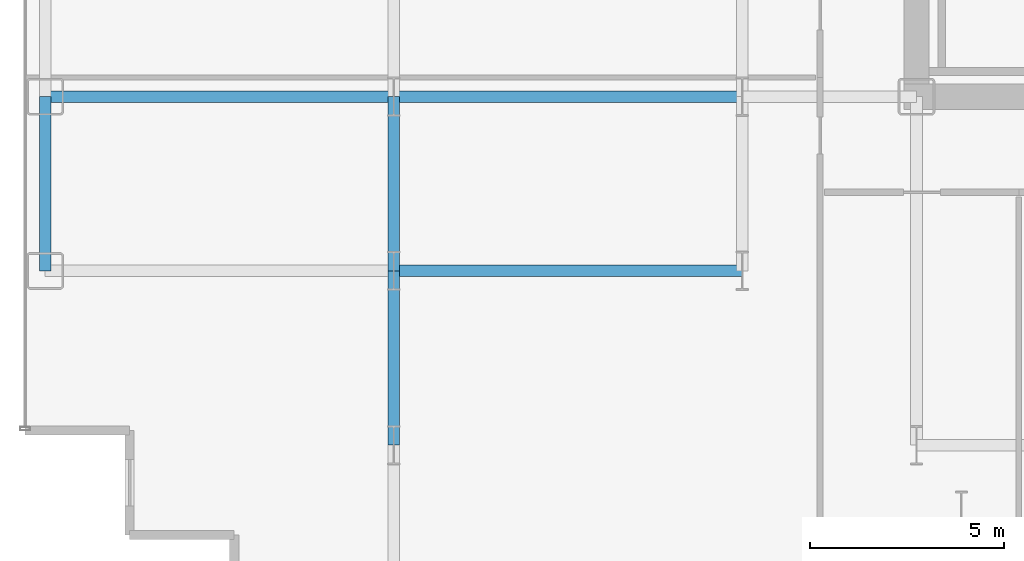
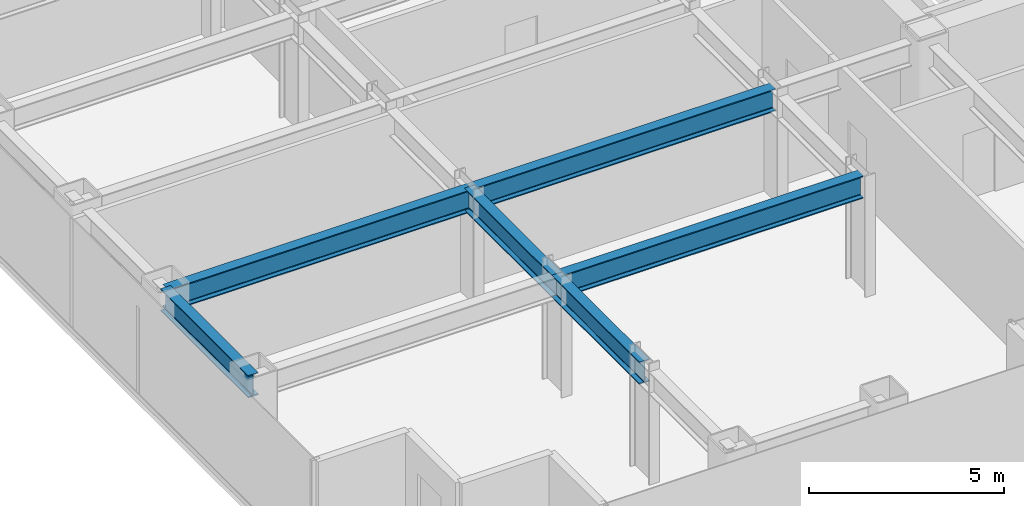
# One storey, part 3 of 25: 6 beams.
"""IFC4 building model written with IfcOpenShell, lengths in metres."""

from ifc_helpers import new_model, si_unit, direction, frame, origin, origin_2d, place, context, subcontext, project, spatial, i_section, extrude, source, transform, mapped, material, material_profile, profile_set, type_object, element, save


model = new_model("IFC4")

# Units and contexts
model_context = context("Model", 3, precision=1e-05, world=origin(), true_north=direction((0.0, 1.0)))
body_context = subcontext(model_context, "Body", "Model", "MODEL_VIEW")
ifc_project = project(units=[si_unit("LENGTHUNIT", "METRE"), si_unit("AREAUNIT", "SQUARE_METRE"), si_unit("VOLUMEUNIT", "CUBIC_METRE"), si_unit("PLANEANGLEUNIT", "RADIAN"), si_unit("MASSUNIT", "GRAM", prefix="KILO")], contexts=[model_context])

# Site, building, storey
site_placement = place(None, origin())
site = spatial("IfcSite", under=ifc_project, at=site_placement, CompositionType="ELEMENT")
building_placement = place(site_placement, origin())
building = spatial("IfcBuilding", under=site, at=building_placement, Name="Nefas-Gora Pilgrimage Tower", CompositionType="ELEMENT")
storey_placement = place(building_placement, frame((0.0, 0.0, 52.0)))
storey = spatial("IfcBuildingStorey", under=building, at=storey_placement, Name="L11", CompositionType="ELEMENT", Elevation=52.0)

# Beams
ifc_material = material(Name="Steel S355", Category="steel")
ifc_material_profile_1 = material_profile(ifc_material, i_section(OverallWidth=0.300048828125, OverallDepth=0.699951171875, WebThickness=0.01708984375, FlangeThickness=0.031982421875, FilletRadius=0.027099609375, at=origin_2d()), Name="HEB 700")
ifc_profile_set_1 = profile_set([ifc_material_profile_1], Name="Steel S355")
beam_type_1 = type_object("IfcBeamType", Name="BM-SPN-HEB600", PredefinedType="SPANDREL", material=ifc_profile_set_1)
shared_shape_1 = source(origin(), body_context, "Body", "SweptSolid", [
    extrude(i_section(OverallWidth=0.300048828125, OverallDepth=0.699951171875, WebThickness=0.01708984375, FlangeThickness=0.031982421875, FilletRadius=0.027099609375, at=origin_2d()), origin(), (0.0, 0.0, 1.0), 4.5),
])
beam_placement = place(storey_placement, frame((-33.75, -13.5, 3.199951171875), z_axis=(0.0, 1.0, 0.0), x_axis=(-1.0, 0.0, 0.0)))
element("IfcBeam", 1, at=beam_placement, inside=storey, type_object=beam_type_1, Name="L11 SP-01 beam", PredefinedType="SPANDREL", context=body_context, shape_type="MappedRepresentation", body=[
    mapped(shared_shape_1, transform((0.0, 0.0, 0.0), x_axis=(1.0, 0.0, 0.0), y_axis=(0.0, 1.0, 0.0), z_axis=(0.0, 0.0, 1.0), scale=1.0)),
])
ifc_material_profile_2 = material_profile(ifc_material, i_section(OverallWidth=0.300048828125, OverallDepth=0.699951171875, WebThickness=0.01708984375, FlangeThickness=0.031982421875, FilletRadius=0.027099609375, at=origin_2d()), Name="HEB 700")
ifc_profile_set_2 = profile_set([ifc_material_profile_2], Name="Steel S355")
beam_type_2 = type_object("IfcBeamType", Name="BM-GIR-HEB700", PredefinedType="BEAM", material=ifc_profile_set_2)
shared_shape_2 = source(origin(), body_context, "Body", "SweptSolid", [
    extrude(i_section(OverallWidth=0.300048828125, OverallDepth=0.699951171875, WebThickness=0.01708984375, FlangeThickness=0.031982421875, FilletRadius=0.027099609375, at=origin_2d()), origin(), (0.0, 0.0, 1.0), 9.0),
])
for number, where, z_axis, x_axis, name in (
    (2, (-33.75, -9.0, 3.199951171875), (1.0, 0.0, 0.0), (0.0, 1.0, 0.0), "L11 G-02 beam"),
    (3, (-24.75, -13.5, 3.199951171875), (1.0, 0.0, 0.0), (0.0, 1.0, 0.0), "L11 G-02 beam"),
    (4, (-24.75, -9.0, 3.199951171875), (1.0, 0.0, 0.0), (0.0, 1.0, 0.0), "L11 G-02 beam"),
):
    element("IfcBeam", number, at=place(storey_placement, frame(where, z_axis=z_axis, x_axis=x_axis)), inside=storey, type_object=beam_type_2, Name=name, PredefinedType="BEAM", context=body_context, shape_type="MappedRepresentation", body=[
        mapped(shared_shape_2, transform((0.0, 0.0, 0.0), x_axis=(1.0, 0.0, 0.0), y_axis=(0.0, 1.0, 0.0), z_axis=(0.0, 0.0, 1.0), scale=1.0)),
    ])
shared_shape_3 = source(origin(), body_context, "Body", "SweptSolid", [
    extrude(i_section(OverallWidth=0.300048828125, OverallDepth=0.699951171875, WebThickness=0.01708984375, FlangeThickness=0.031982421875, FilletRadius=0.027099609375, at=origin_2d()), origin(), (0.0, 0.0, 1.0), 4.5),
])
for number, where, z_axis, x_axis, name in (
    (5, (-24.75, -18.0, 3.199951171875), (0.0, 1.0, 0.0), (-1.0, 0.0, 0.0), "L11 G-02 beam"),
    (6, (-24.75, -13.5, 3.199951171875), (0.0, 1.0, 0.0), (-1.0, 0.0, 0.0), "L11 G-02 beam"),
):
    element("IfcBeam", number, at=place(storey_placement, frame(where, z_axis=z_axis, x_axis=x_axis)), inside=storey, type_object=beam_type_2, Name=name, PredefinedType="BEAM", context=body_context, shape_type="MappedRepresentation", body=[
        mapped(shared_shape_3, transform((0.0, 0.0, 0.0), x_axis=(1.0, 0.0, 0.0), y_axis=(0.0, 1.0, 0.0), z_axis=(0.0, 0.0, 1.0), scale=1.0)),
    ])

save(model, "model.ifc")
